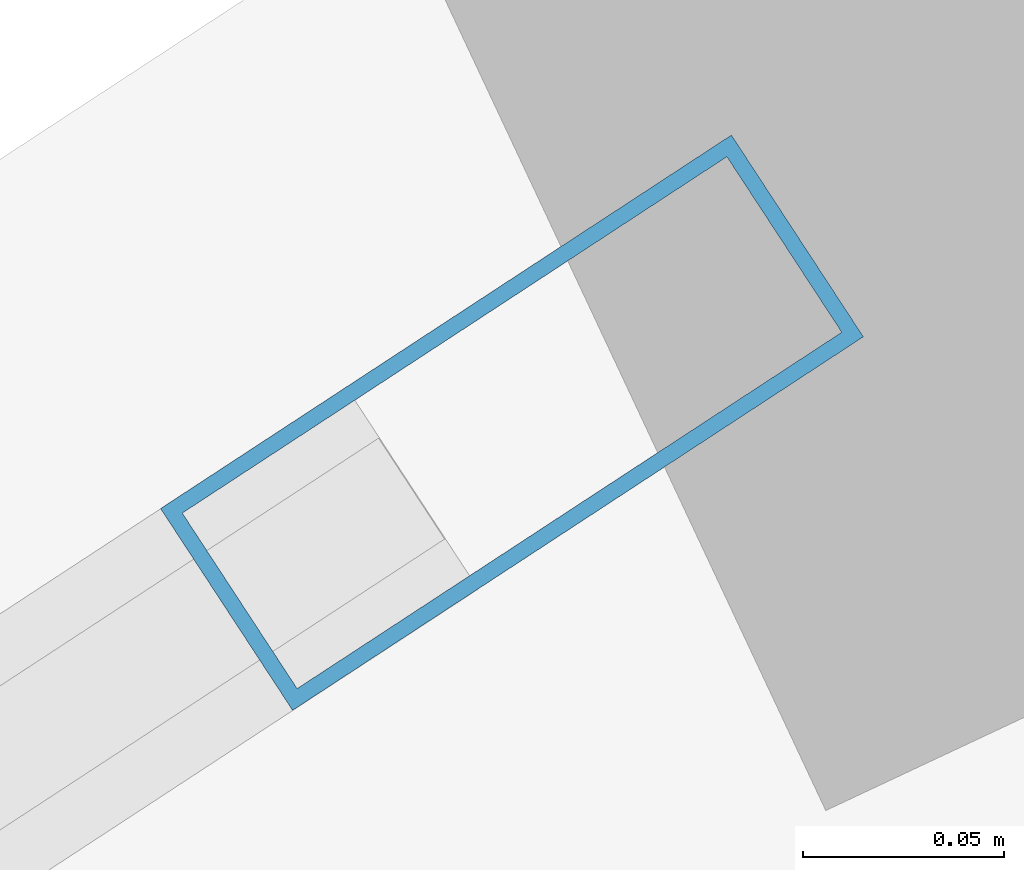
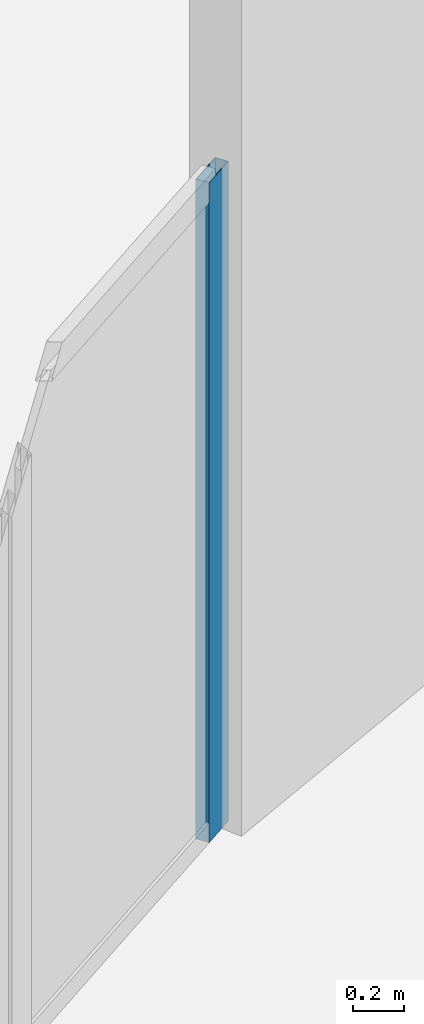
# One storey, part 12 of 39: 1 member, 1 element without a shape of its own.
"""IFC4 building model written with IfcOpenShell, lengths in metres."""

from ifc_helpers import new_model, si_unit, direction, frame, origin, origin_2d, place, context, subcontext, project, spatial, hollow_rectangle, extrude, source, transform, mapped, material, layer, layer_set, material_profile, profile_set, type_object, element, aggregate, save


model = new_model("IFC4")

# Units and contexts
model_context = context("Model", 3, precision=1e-05, world=origin(), true_north=direction((0.0, 1.0)))
body_context = subcontext(model_context, "Body", "Model", "MODEL_VIEW")
ifc_project = project(units=[si_unit("LENGTHUNIT", "METRE"), si_unit("AREAUNIT", "SQUARE_METRE"), si_unit("VOLUMEUNIT", "CUBIC_METRE"), si_unit("PLANEANGLEUNIT", "RADIAN"), si_unit("MASSUNIT", "GRAM", prefix="KILO")], contexts=[model_context])

# Site, building, storey
site_placement = place(None, origin())
site = spatial("IfcSite", under=ifc_project, at=site_placement, CompositionType="ELEMENT")
building_placement = place(site_placement, origin())
building = spatial("IfcBuilding", under=site, at=building_placement, Name="Linh Dai School and Residence Tower", CompositionType="ELEMENT")
storey_placement = place(building_placement, frame((0.0, 0.0, 27.0)))
storey = spatial("IfcBuildingStorey", under=building, at=storey_placement, Name="L06", CompositionType="ELEMENT", Elevation=27.0)

# Curtain wall, member
ifc_material_1 = material(Name="Aluminium Anodised Curtain Wall", Category="aluminium")
ifc_layer = layer(ifc_material_1, 0.169921875)
ifc_layer_set = layer_set([ifc_layer], Name="Aluminium Anodised Curtain Wall")
curtain_wall_type = type_object("IfcCurtainWallType", Name="CW-SYS-2", PredefinedType="USERDEFINED", material=ifc_layer_set)
curtain_wall_placement = place(storey_placement, origin())
curtain_wall = element("IfcCurtainWall", 1, at=curtain_wall_placement, inside=storey, type_object=curtain_wall_type, Name="L06 CW2 Curtain Wall 15", ObjectType="UNITISED CURTAIN WALL", PredefinedType="USERDEFINED")
ifc_material_2 = material(Name="Aluminium Alloy 6063-T6", Category="aluminium")
ifc_material_profile = material_profile(ifc_material_2, hollow_rectangle(XDim=0.06005859375, YDim=0.169921875, WallThickness=0.00390625, at=origin_2d()), Name="RHS 170x60x4")
ifc_profile_set = profile_set([ifc_material_profile], Name="Aluminium Alloy 6063-T6")
member_type = type_object("IfcMemberType", Name="CW-SYS-2-MUL", PredefinedType="MULLION", material=ifc_profile_set)
shared_shape = source(origin(), body_context, "Body", "SweptSolid", [
    extrude(hollow_rectangle(XDim=0.06005859375, YDim=0.169921875, WallThickness=0.00390625, at=origin_2d()), origin(), (0.0, 0.0, 1.0), 3.18505859375),
])
member_placement = place(storey_placement, frame((21.45849609375, 42.24560546875, 0.0), z_axis=(0.0, 0.0, 1.0), x_axis=(-0.547530007395, 0.836786048523, 0.0)))
member = element("IfcMember", 2, at=member_placement, type_object=member_type, Name="CW2 mullion 3", PredefinedType="MULLION", context=body_context, shape_type="MappedRepresentation", body=[
    mapped(shared_shape, transform((0.0, 0.0, 0.0), x_axis=(1.0, 0.0, 0.0), y_axis=(0.0, 1.0, 0.0), z_axis=(0.0, 0.0, 1.0), scale=1.0)),
])
aggregate(curtain_wall, [member])

save(model, "model.ifc")
